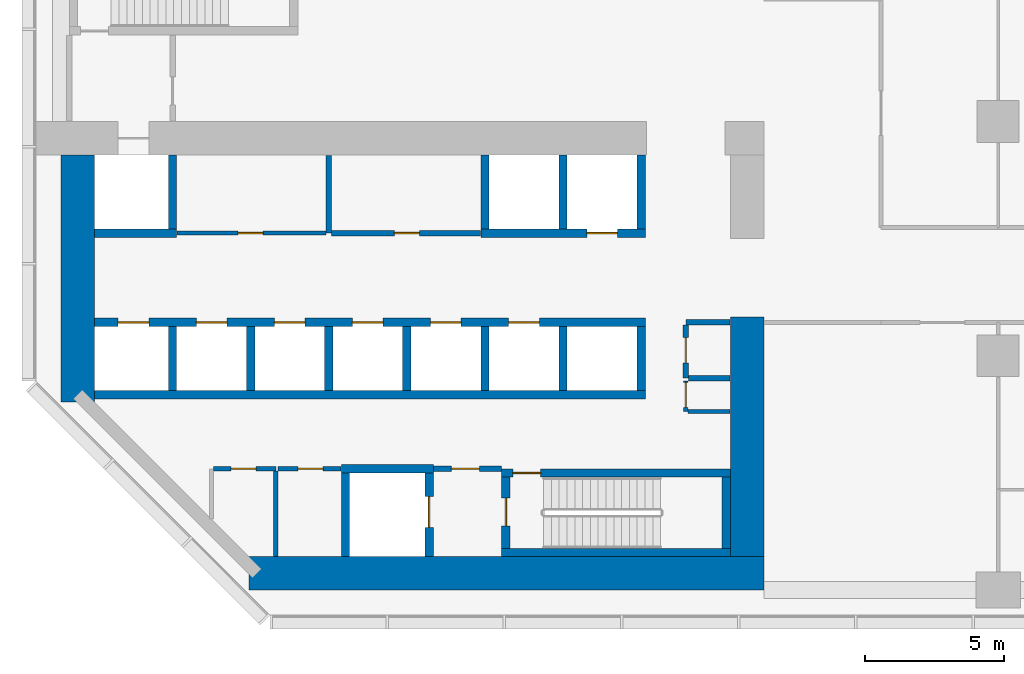
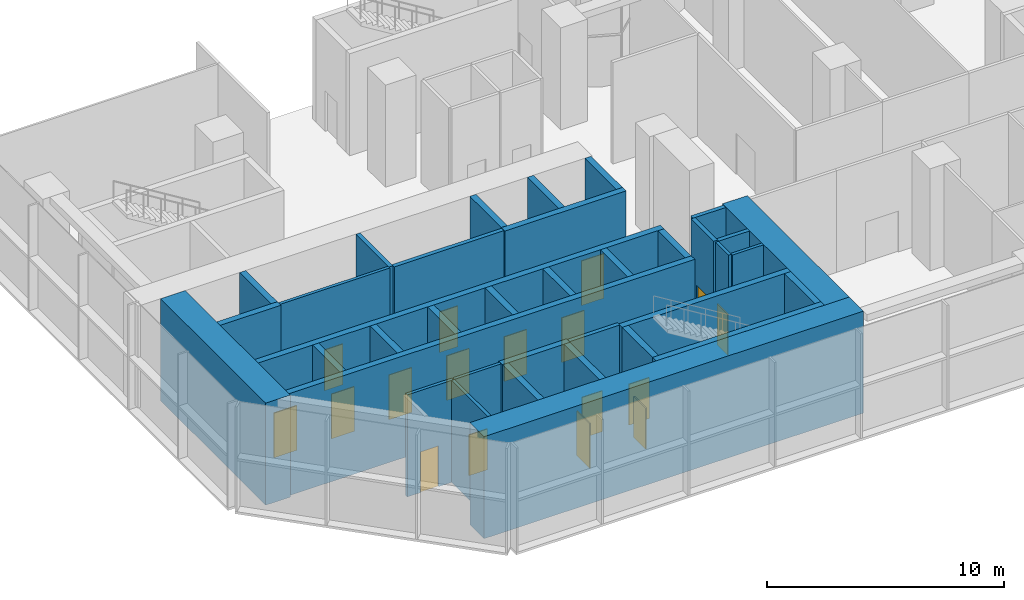
# One storey, part 8 of 16: 37 walls, 17 doors, 17 openings.
"""IFC4 building model written with IfcOpenShell, lengths in metres."""

from ifc_helpers import new_model, si_unit, direction, frame, frame_2d, origin, place, context, subcontext, project, spatial, rectangle, extrude, material, layer, layer_set, type_object, element, fill, save


model = new_model("IFC4")

# Units and contexts
model_context = context("Model", 3, precision=1e-05, world=origin(), true_north=direction((0.0, 1.0)))
body_context = subcontext(model_context, "Body", "Model", "MODEL_VIEW")
ifc_project = project(units=[si_unit("LENGTHUNIT", "METRE"), si_unit("AREAUNIT", "SQUARE_METRE"), si_unit("VOLUMEUNIT", "CUBIC_METRE"), si_unit("PLANEANGLEUNIT", "RADIAN"), si_unit("MASSUNIT", "GRAM", prefix="KILO")], contexts=[model_context])

# Site, building, storey
site_placement = place(None, origin())
site = spatial("IfcSite", under=ifc_project, at=site_placement, CompositionType="ELEMENT")
building_placement = place(site_placement, origin())
building = spatial("IfcBuilding", under=site, at=building_placement, Name="Brevane Broadcast Tower", CompositionType="ELEMENT")
storey_placement = place(building_placement, frame((0.0, 0.0, 7.0)))
storey = spatial("IfcBuildingStorey", under=building, at=storey_placement, Name="L01", CompositionType="ELEMENT", Elevation=7.0)

# Wall, opening, door
ifc_material_1 = material(Name="Gypsum board on steel studs", Category="steel")
ifc_layer_1 = layer(ifc_material_1, 0.14990234375)
ifc_layer_set_1 = layer_set([ifc_layer_1], Name="Core fire partition 150 mm")
wall_type_1 = type_object("IfcWallType", Name="Core fire partition 150 mm", PredefinedType="PARTITIONING", material=ifc_layer_set_1)
wall_1_placement = place(storey_placement, frame((4.162109375, 12.800048828125, 0.0), z_axis=(0.0, 0.0, 1.0), x_axis=(1.0, 0.0, 0.0)))
wall_1 = element("IfcWall", 1, at=wall_1_placement, inside=storey, type_object=wall_type_1, Name="L01 partition wall P09", PredefinedType="PARTITIONING", context=body_context, shape_type="SweptSolid", body=[
    extrude(rectangle(XDim=5.337890625, YDim=0.14990234375, at=frame_2d((2.6689453125, 0.0))), origin(), (0.0, 0.0, 1.0), 5.25),
])
opening_1_placement = place(wall_1_placement, frame((2.18798828125, 0.0, 0.0)))
opening_1 = element("IfcOpeningElement", 2, at=opening_1_placement, cuts=wall_1, Name="Opening L01-K24", PredefinedType="OPENING", context=body_context, shape_type="SweptSolid", body=[
    extrude(rectangle(XDim=0.89990234375, YDim=2.10009765625, at=frame_2d((0.449951171875, 1.050048828125))), frame((0.0, 0.0849609375, 0.0), z_axis=(0.0, -1.0, 0.0), x_axis=(1.0, 0.0, 0.0)), (0.0, 0.0, 1.0), 0.169921875),
])
ifc_material_2 = material(Name="Steel", Category="steel")
door_type_1 = type_object("IfcDoorType", Name="Service room door 900 x 2100", OperationType="SINGLE_SWING_LEFT", PredefinedType="DOOR", material=ifc_material_2)
door_1_placement = place(opening_1_placement, origin())
door_1 = element("IfcDoor", 3, at=door_1_placement, inside=storey, type_object=door_type_1, Name="Door L01-K24", OperationType="SINGLE_SWING_RIGHT", OverallHeight=2.10009765625, OverallWidth=0.89990234375, PredefinedType="DOOR", context=body_context, shape_type="SweptSolid", body=[
    extrude(rectangle(XDim=0.89990234375, YDim=2.10009765625, at=frame_2d((0.449951171875, 1.050048828125))), frame((0.0, 0.02490234375, 0.0), z_axis=(0.0, -1.0, 0.0), x_axis=(1.0, 0.0, 0.0)), (0.0, 0.0, 1.0), 0.050048828125),
])
fill(opening_1, door_1)

wall_2_placement = place(storey_placement, frame((5.47509765625, 4.35009765625, 0.0), z_axis=(0.0, 0.0, 1.0), x_axis=(1.0, 0.0, 0.0)))
wall_2 = element("IfcWall", 4, at=wall_2_placement, inside=storey, type_object=wall_type_1, Name="L01 partition wall P11", PredefinedType="PARTITIONING", context=body_context, shape_type="SweptSolid", body=[
    extrude(rectangle(XDim=2.224853515625, YDim=0.14990234375, at=frame_2d((1.1123046875, 0.0))), origin(), (0.0, 0.0, 1.0), 5.25),
])
opening_2_placement = place(wall_2_placement, frame((0.625, 0.0, 0.0)))
opening_2 = element("IfcOpeningElement", 5, at=opening_2_placement, cuts=wall_2, Name="Opening L01-K19", PredefinedType="OPENING", context=body_context, shape_type="SweptSolid", body=[
    extrude(rectangle(XDim=0.89990234375, YDim=2.10009765625, at=frame_2d((0.449951171875, 1.050048828125))), frame((0.0, 0.0849609375, 0.0), z_axis=(0.0, -1.0, 0.0), x_axis=(1.0, 0.0, 0.0)), (0.0, 0.0, 1.0), 0.169921875),
])
ifc_material_3 = material(Name="Timber", Category="wood")
door_type_2 = type_object("IfcDoorType", Name="Toilet door 900 x 2100", OperationType="SINGLE_SWING_LEFT", PredefinedType="DOOR", material=ifc_material_3)
door_2_placement = place(opening_2_placement, origin())
door_2 = element("IfcDoor", 6, at=door_2_placement, inside=storey, type_object=door_type_2, Name="Door L01-K19", OperationType="SINGLE_SWING_LEFT", OverallHeight=2.10009765625, OverallWidth=0.89990234375, PredefinedType="DOOR", context=body_context, shape_type="SweptSolid", body=[
    extrude(rectangle(XDim=0.89990234375, YDim=2.10009765625, at=frame_2d((0.449951171875, 1.050048828125))), frame((0.0, 0.02490234375, 0.0), z_axis=(0.0, -1.0, 0.0), x_axis=(1.0, 0.0, 0.0)), (0.0, 0.0, 1.0), 0.050048828125),
])
fill(opening_2, door_2)

# Wall
wall_3_placement = place(storey_placement, frame((7.699951171875, 4.27490234375, 0.0), z_axis=(0.0, 0.0, 1.0), x_axis=(0.0, -1.0, 0.0)))
element("IfcWall", 7, at=wall_3_placement, inside=storey, type_object=wall_type_1, Name="L01 partition wall P12", PredefinedType="PARTITIONING", context=body_context, shape_type="SweptSolid", body=[
    extrude(rectangle(XDim=3.06298828125, YDim=0.14990234375, at=frame_2d((1.531494140625, 0.0))), origin(), (0.0, 0.0, 1.0), 5.25),
])

# Wall, opening, door
wall_4_placement = place(storey_placement, frame((10.0380859375, 4.35009765625, 0.0), z_axis=(0.0, 0.0, 1.0), x_axis=(-1.0, 0.0, 0.0)))
wall_4 = element("IfcWall", 8, at=wall_4_placement, inside=storey, type_object=wall_type_1, Name="L01 partition wall P13", PredefinedType="PARTITIONING", context=body_context, shape_type="SweptSolid", body=[
    extrude(rectangle(XDim=2.26318359375, YDim=0.14990234375, at=frame_2d((1.131591796875, 0.0))), origin(), (0.0, 0.0, 1.0), 5.25),
])
opening_3_placement = place(wall_4_placement, frame((0.637939453125, 0.0, 0.0)))
opening_3 = element("IfcOpeningElement", 9, at=opening_3_placement, cuts=wall_4, Name="Opening L01-K20", PredefinedType="OPENING", context=body_context, shape_type="SweptSolid", body=[
    extrude(rectangle(XDim=0.89990234375, YDim=2.10009765625, at=frame_2d((0.449951171875, 1.050048828125))), frame((0.0, 0.0849609375, 0.0), z_axis=(0.0, -1.0, 0.0), x_axis=(1.0, 0.0, 0.0)), (0.0, 0.0, 1.0), 0.169921875),
])
door_3_placement = place(opening_3_placement, origin())
door_3 = element("IfcDoor", 10, at=door_3_placement, inside=storey, type_object=door_type_2, Name="Door L01-K20", OperationType="SINGLE_SWING_RIGHT", OverallHeight=2.10009765625, OverallWidth=0.89990234375, PredefinedType="DOOR", context=body_context, shape_type="SweptSolid", body=[
    extrude(rectangle(XDim=0.89990234375, YDim=2.10009765625, at=frame_2d((0.449951171875, 1.050048828125))), frame((0.0, 0.02490234375, 0.0), z_axis=(0.0, -1.0, 0.0), x_axis=(1.0, 0.0, 0.0)), (0.0, 0.0, 1.0), 0.050048828125),
])
fill(opening_3, door_3)

wall_5_placement = place(storey_placement, frame((22.39990234375, 7.5, 0.0), z_axis=(0.0, 0.0, 1.0), x_axis=(0.0, -1.0, 0.0)))
wall_5 = element("IfcWall", 11, at=wall_5_placement, inside=storey, type_object=wall_type_1, Name="L01 partition wall P21", PredefinedType="PARTITIONING", context=body_context, shape_type="SweptSolid", body=[
    extrude(rectangle(XDim=1.10009765625, YDim=0.14990234375, at=frame_2d((0.550048828125, 0.0))), origin(), (0.0, 0.0, 1.0), 5.25),
])
opening_4_placement = place(wall_5_placement, frame((0.050048828125, 0.0, 0.0)))
opening_4 = element("IfcOpeningElement", 12, at=opening_4_placement, cuts=wall_5, Name="Opening L01-K22", PredefinedType="OPENING", context=body_context, shape_type="SweptSolid", body=[
    extrude(rectangle(XDim=0.89990234375, YDim=2.10009765625, at=frame_2d((0.449951171875, 1.050048828125))), frame((0.0, 0.0849609375, 0.0), z_axis=(0.0, -1.0, 0.0), x_axis=(1.0, 0.0, 0.0)), (0.0, 0.0, 1.0), 0.169921875),
])
door_4_placement = place(opening_4_placement, origin())
door_4 = element("IfcDoor", 13, at=door_4_placement, inside=storey, type_object=door_type_1, Name="Door L01-K22", OperationType="SINGLE_SWING_RIGHT", OverallHeight=2.10009765625, OverallWidth=0.89990234375, PredefinedType="DOOR", context=body_context, shape_type="SweptSolid", body=[
    extrude(rectangle(XDim=0.89990234375, YDim=2.10009765625, at=frame_2d((0.449951171875, 1.050048828125))), frame((0.0, 0.02490234375, 0.0), z_axis=(0.0, -1.0, 0.0), x_axis=(1.0, 0.0, 0.0)), (0.0, 0.0, 1.0), 0.050048828125),
])
fill(opening_4, door_4)

# Wall
wall_6_placement = place(storey_placement, frame((22.47509765625, 6.39990234375, 0.0), z_axis=(0.0, 0.0, 1.0), x_axis=(1.0, 0.0, 0.0)))
element("IfcWall", 14, at=wall_6_placement, inside=storey, type_object=wall_type_1, Name="L01 partition wall P22", PredefinedType="PARTITIONING", context=body_context, shape_type="SweptSolid", body=[
    extrude(rectangle(XDim=1.512939453125, YDim=0.14990234375, at=frame_2d((0.75634765625, 0.0))), origin(), (0.0, 0.0, 1.0), 5.25),
])

# Wall, opening, door
ifc_layer_2 = layer(ifc_material_1, 0.199951171875)
ifc_layer_set_2 = layer_set([ifc_layer_2], Name="Core fire partition 200 mm")
wall_type_2 = type_object("IfcWallType", Name="Core fire partition 200 mm", PredefinedType="PARTITIONING", material=ifc_layer_set_2)
wall_7_placement = place(storey_placement, frame((13.362060546875, 4.35009765625, 0.0), z_axis=(0.0, 0.0, 1.0), x_axis=(1.0, 0.0, 0.0)))
wall_7 = element("IfcWall", 15, at=wall_7_placement, inside=storey, type_object=wall_type_2, Name="L01 partition wall P03", PredefinedType="PARTITIONING", context=body_context, shape_type="SweptSolid", body=[
    extrude(rectangle(XDim=2.426025390625, YDim=0.199951171875, at=frame_2d((1.212890625, 0.0))), origin(), (0.0, 0.0, 1.0), 5.25),
])
opening_5_placement = place(wall_7_placement, frame((0.637939453125, 0.0, 0.0)))
opening_5 = element("IfcOpeningElement", 16, at=opening_5_placement, cuts=wall_7, Name="Opening L01-K21", PredefinedType="OPENING", context=body_context, shape_type="SweptSolid", body=[
    extrude(rectangle(XDim=1.0, YDim=2.10009765625, at=frame_2d((0.5, 1.050048828125))), frame((0.0, 0.10986328125, 0.0), z_axis=(0.0, -1.0, 0.0), x_axis=(1.0, 0.0, 0.0)), (0.0, 0.0, 1.0), 0.219970703125),
])
door_type_3 = type_object("IfcDoorType", Name="Stair door 1000 x 2100", OperationType="SINGLE_SWING_LEFT", PredefinedType="DOOR", material=ifc_material_2)
door_5_placement = place(opening_5_placement, origin())
door_5 = element("IfcDoor", 17, at=door_5_placement, inside=storey, type_object=door_type_3, Name="Door L01-K21", OperationType="SINGLE_SWING_LEFT", OverallHeight=2.10009765625, OverallWidth=1.0, PredefinedType="DOOR", context=body_context, shape_type="SweptSolid", body=[
    extrude(rectangle(XDim=1.0, YDim=2.10009765625, at=frame_2d((0.5, 1.050048828125))), frame((0.0, 0.02490234375, 0.0), z_axis=(0.0, -1.0, 0.0), x_axis=(1.0, 0.0, 0.0)), (0.0, 0.0, 1.0), 0.050048828125),
])
fill(opening_5, door_5)

# Wall
wall_8_placement = place(storey_placement, frame((9.60009765625, 15.587890625, 0.0), z_axis=(0.0, 0.0, 1.0), x_axis=(0.0, -1.0, 0.0)))
element("IfcWall", 18, at=wall_8_placement, inside=storey, type_object=wall_type_2, Name="L01 partition wall P04", PredefinedType="PARTITIONING", context=body_context, shape_type="SweptSolid", body=[
    extrude(rectangle(XDim=2.787841796875, YDim=0.199951171875, at=frame_2d((1.39404296875, 0.0))), origin(), (0.0, 0.0, 1.0), 5.25),
])

# Wall, opening, door
wall_9_placement = place(storey_placement, frame((9.699951171875, 12.800048828125, 0.0), z_axis=(0.0, 0.0, 1.0), x_axis=(1.0, 0.0, 0.0)))
wall_9 = element("IfcWall", 19, at=wall_9_placement, inside=storey, type_object=wall_type_2, Name="L01 partition wall P05", PredefinedType="PARTITIONING", context=body_context, shape_type="SweptSolid", body=[
    extrude(rectangle(XDim=5.338134765625, YDim=0.199951171875, at=frame_2d((2.6689453125, 0.0))), origin(), (0.0, 0.0, 1.0), 5.25),
])
opening_6_placement = place(wall_9_placement, frame((2.25, 0.0, 0.0)))
opening_6 = element("IfcOpeningElement", 20, at=opening_6_placement, cuts=wall_9, Name="Opening L01-K25", PredefinedType="OPENING", context=body_context, shape_type="SweptSolid", body=[
    extrude(rectangle(XDim=0.89990234375, YDim=2.10009765625, at=frame_2d((0.449951171875, 1.050048828125))), frame((0.0, 0.10986328125, 0.0), z_axis=(0.0, -1.0, 0.0), x_axis=(1.0, 0.0, 0.0)), (0.0, 0.0, 1.0), 0.219970703125),
])
door_6_placement = place(opening_6_placement, origin())
door_6 = element("IfcDoor", 21, at=door_6_placement, inside=storey, type_object=door_type_1, Name="Door L01-K25", OperationType="SINGLE_SWING_LEFT", OverallHeight=2.10009765625, OverallWidth=0.89990234375, PredefinedType="DOOR", context=body_context, shape_type="SweptSolid", body=[
    extrude(rectangle(XDim=0.89990234375, YDim=2.10009765625, at=frame_2d((0.449951171875, 1.050048828125))), frame((0.0, 0.02490234375, 0.0), z_axis=(0.0, -1.0, 0.0), x_axis=(1.0, 0.0, 0.0)), (0.0, 0.0, 1.0), 0.050048828125),
])
fill(opening_6, door_6)

# Wall
wall_10_placement = place(storey_placement, frame((23.988037109375, 9.60009765625, 0.0), z_axis=(0.0, 0.0, 1.0), x_axis=(-1.0, 0.0, 0.0)))
element("IfcWall", 22, at=wall_10_placement, inside=storey, type_object=wall_type_2, Name="L01 partition wall P06", PredefinedType="PARTITIONING", context=body_context, shape_type="SweptSolid", body=[
    extrude(rectangle(XDim=1.588134765625, YDim=0.199951171875, at=frame_2d((0.7939453125, 0.0))), origin(), (0.0, 0.0, 1.0), 5.25),
])

# Wall, opening, door
wall_11_placement = place(storey_placement, frame((22.39990234375, 9.5, 0.0), z_axis=(0.0, 0.0, 1.0), x_axis=(0.0, -1.0, 0.0)))
wall_11 = element("IfcWall", 23, at=wall_11_placement, inside=storey, type_object=wall_type_2, Name="L01 partition wall P07", PredefinedType="PARTITIONING", context=body_context, shape_type="SweptSolid", body=[
    extrude(rectangle(XDim=1.89990234375, YDim=0.199951171875, at=frame_2d((0.949951171875, 0.0))), origin(), (0.0, 0.0, 1.0), 5.25),
])
opening_7_placement = place(wall_11_placement, frame((0.449951171875, 0.0, 0.0)))
opening_7 = element("IfcOpeningElement", 24, at=opening_7_placement, cuts=wall_11, Name="Opening L01-K23", PredefinedType="OPENING", context=body_context, shape_type="SweptSolid", body=[
    extrude(rectangle(XDim=0.89990234375, YDim=2.10009765625, at=frame_2d((0.449951171875, 1.050048828125))), frame((0.0, 0.10986328125, 0.0), z_axis=(0.0, -1.0, 0.0), x_axis=(1.0, 0.0, 0.0)), (0.0, 0.0, 1.0), 0.219970703125),
])
door_7_placement = place(opening_7_placement, origin())
door_7 = element("IfcDoor", 25, at=door_7_placement, inside=storey, type_object=door_type_1, Name="Door L01-K23", OperationType="SINGLE_SWING_LEFT", OverallHeight=2.10009765625, OverallWidth=0.89990234375, PredefinedType="DOOR", context=body_context, shape_type="SweptSolid", body=[
    extrude(rectangle(XDim=0.89990234375, YDim=2.10009765625, at=frame_2d((0.449951171875, 1.050048828125))), frame((0.0, 0.02490234375, 0.0), z_axis=(0.0, -1.0, 0.0), x_axis=(1.0, 0.0, 0.0)), (0.0, 0.0, 1.0), 0.050048828125),
])
fill(opening_7, door_7)

# Walls
wall_12_placement = place(storey_placement, frame((22.5, 7.60009765625, 0.0), z_axis=(0.0, 0.0, 1.0), x_axis=(1.0, 0.0, 0.0)))
element("IfcWall", 26, at=wall_12_placement, inside=storey, type_object=wall_type_2, Name="L01 partition wall P08", PredefinedType="PARTITIONING", context=body_context, shape_type="SweptSolid", body=[
    extrude(rectangle(XDim=1.488037109375, YDim=0.199951171875, at=frame_2d((0.744140625, 0.0))), origin(), (0.0, 0.0, 1.0), 5.25),
])
ifc_material_4 = material(Name="Concrete C80/95", Category="concrete")
ifc_layer_3 = layer(ifc_material_4, 1.199951171875)
ifc_layer_set_3 = layer_set([ifc_layer_3], Name="Core wall 1200 mm C80/95")
wall_type_3 = type_object("IfcWallType", Name="Core wall 1200 mm C80/95", PredefinedType="SHEAR", material=ifc_layer_set_3)
wall_13_placement = place(storey_placement, frame((6.736328125, 0.60009765625, 0.0), z_axis=(0.0, 0.0, 1.0), x_axis=(1.0, 0.0, 0.0)))
element("IfcWall", 27, at=wall_13_placement, inside=storey, type_object=wall_type_3, Name="L01 outer wall WS", PredefinedType="SHEAR", context=body_context, shape_type="SweptSolid", body=[
    extrude(rectangle(XDim=18.463623046875, YDim=1.199951171875, at=frame_2d((9.23193359375, 0.0))), origin(), (0.0, 0.0, 1.0), 5.25),
])
wall_14_placement = place(storey_placement, frame((0.60009765625, 6.736328125, 0.0), z_axis=(0.0, 0.0, 1.0), x_axis=(0.0, 1.0, 0.0)))
element("IfcWall", 28, at=wall_14_placement, inside=storey, type_object=wall_type_3, Name="L01 outer wall WW", PredefinedType="SHEAR", context=body_context, shape_type="SweptSolid", body=[
    extrude(rectangle(XDim=8.86376953125, YDim=1.199951171875, at=frame_2d((4.431884765625, 0.0))), origin(), (0.0, 0.0, 1.0), 5.25),
])
wall_15_placement = place(storey_placement, frame((24.60009765625, 1.199951171875, 0.0), z_axis=(0.0, 0.0, 1.0), x_axis=(0.0, 1.0, 0.0)))
element("IfcWall", 29, at=wall_15_placement, inside=storey, type_object=wall_type_3, Name="L01 outer wall WE1", PredefinedType="SHEAR", context=body_context, shape_type="SweptSolid", body=[
    extrude(rectangle(XDim=8.60009765625, YDim=1.199951171875, at=frame_2d((4.300048828125, 0.0))), origin(), (0.0, 0.0, 1.0), 5.25),
])
ifc_layer_4 = layer(ifc_material_4, 0.300048828125)
ifc_layer_set_4 = layer_set([ifc_layer_4], Name="Core wall 300 mm C80/95")
wall_type_4 = type_object("IfcWallType", Name="Core wall 300 mm C80/95", PredefinedType="SHEAR", material=ifc_layer_set_4)
wall_16_placement = place(storey_placement, frame((1.199951171875, 7.0, 0.0), z_axis=(0.0, 0.0, 1.0), x_axis=(1.0, 0.0, 0.0)))
element("IfcWall", 30, at=wall_16_placement, inside=storey, type_object=wall_type_4, Name="L01 shaft wall SH-S012-back", PredefinedType="SHEAR", context=body_context, shape_type="SweptSolid", body=[
    extrude(rectangle(XDim=19.75, YDim=0.300048828125, at=frame_2d((9.875, 0.0))), origin(), (0.0, 0.0, 1.0), 5.25),
])

# Wall, openings, doors
wall_17_placement = place(storey_placement, frame((1.199951171875, 9.60009765625, 0.0), z_axis=(0.0, 0.0, 1.0), x_axis=(1.0, 0.0, 0.0)))
wall_17 = element("IfcWall", 31, at=wall_17_placement, inside=storey, type_object=wall_type_4, Name="L01 shaft wall SH-S012-front", PredefinedType="SHEAR", context=body_context, shape_type="SweptSolid", body=[
    extrude(rectangle(XDim=19.75, YDim=0.300048828125, at=frame_2d((9.875, 0.0))), origin(), (0.0, 0.0, 1.0), 5.25),
])
opening_8_placement = place(wall_17_placement, frame((0.85009765625, 0.0, 0.0)))
opening_8 = element("IfcOpeningElement", 32, at=opening_8_placement, cuts=wall_17, Name="Opening LD", PredefinedType="OPENING", context=body_context, shape_type="SweptSolid", body=[
    extrude(rectangle(XDim=1.10009765625, YDim=2.300048828125, at=frame_2d((0.550048828125, 1.14990234375))), frame((0.0, 0.159912109375, 0.0), z_axis=(0.0, -1.0, 0.0), x_axis=(1.0, 0.0, 0.0)), (0.0, 0.0, 1.0), 0.320068359375),
])
opening_9_placement = place(wall_17_placement, frame((3.64990234375, 0.0, 0.0)))
opening_9 = element("IfcOpeningElement", 33, at=opening_9_placement, cuts=wall_17, Name="Opening LD", PredefinedType="OPENING", context=body_context, shape_type="SweptSolid", body=[
    extrude(rectangle(XDim=1.10009765625, YDim=2.300048828125, at=frame_2d((0.550048828125, 1.14990234375))), frame((0.0, 0.159912109375, 0.0), z_axis=(0.0, -1.0, 0.0), x_axis=(1.0, 0.0, 0.0)), (0.0, 0.0, 1.0), 0.320068359375),
])
opening_10_placement = place(wall_17_placement, frame((6.449951171875, 0.0, 0.0)))
opening_10 = element("IfcOpeningElement", 34, at=opening_10_placement, cuts=wall_17, Name="Opening LD", PredefinedType="OPENING", context=body_context, shape_type="SweptSolid", body=[
    extrude(rectangle(XDim=1.10009765625, YDim=2.300048828125, at=frame_2d((0.550048828125, 1.14990234375))), frame((0.0, 0.159912109375, 0.0), z_axis=(0.0, -1.0, 0.0), x_axis=(1.0, 0.0, 0.0)), (0.0, 0.0, 1.0), 0.320068359375),
])
opening_11_placement = place(wall_17_placement, frame((9.25, 0.0, 0.0)))
opening_11 = element("IfcOpeningElement", 35, at=opening_11_placement, cuts=wall_17, Name="Opening LD", PredefinedType="OPENING", context=body_context, shape_type="SweptSolid", body=[
    extrude(rectangle(XDim=1.10009765625, YDim=2.300048828125, at=frame_2d((0.550048828125, 1.14990234375))), frame((0.0, 0.159912109375, 0.0), z_axis=(0.0, -1.0, 0.0), x_axis=(1.0, 0.0, 0.0)), (0.0, 0.0, 1.0), 0.320068359375),
])
opening_12_placement = place(wall_17_placement, frame((12.050048828125, 0.0, 0.0)))
opening_12 = element("IfcOpeningElement", 36, at=opening_12_placement, cuts=wall_17, Name="Opening LD", PredefinedType="OPENING", context=body_context, shape_type="SweptSolid", body=[
    extrude(rectangle(XDim=1.10009765625, YDim=2.300048828125, at=frame_2d((0.550048828125, 1.14990234375))), frame((0.0, 0.159912109375, 0.0), z_axis=(0.0, -1.0, 0.0), x_axis=(1.0, 0.0, 0.0)), (0.0, 0.0, 1.0), 0.320068359375),
])
opening_13_placement = place(wall_17_placement, frame((14.85009765625, 0.0, 0.0)))
opening_13 = element("IfcOpeningElement", 37, at=opening_13_placement, cuts=wall_17, Name="Opening LD", PredefinedType="OPENING", context=body_context, shape_type="SweptSolid", body=[
    extrude(rectangle(XDim=1.10009765625, YDim=2.300048828125, at=frame_2d((0.550048828125, 1.14990234375))), frame((0.0, 0.159912109375, 0.0), z_axis=(0.0, -1.0, 0.0), x_axis=(1.0, 0.0, 0.0)), (0.0, 0.0, 1.0), 0.320068359375),
])
ifc_material_5 = material(Name="Stainless steel", Category="steel")
door_type_4 = type_object("IfcDoorType", Name="Lift landing door", OperationType="SLIDING_TO_LEFT", PredefinedType="DOOR", material=ifc_material_5)
door_8_placement = place(opening_8_placement, origin())
door_8 = element("IfcDoor", 38, at=door_8_placement, inside=storey, type_object=door_type_4, Name="Landing door LR1 L01", OperationType="SLIDING_TO_LEFT", OverallHeight=2.300048828125, OverallWidth=1.10009765625, PredefinedType="DOOR", context=body_context, shape_type="SweptSolid", body=[
    extrude(rectangle(XDim=1.10009765625, YDim=2.300048828125, at=frame_2d((0.550048828125, 1.14990234375))), frame((0.0, 0.02490234375, 0.0), z_axis=(0.0, -1.0, 0.0), x_axis=(1.0, 0.0, 0.0)), (0.0, 0.0, 1.0), 0.050048828125),
])
fill(opening_8, door_8)
door_9_placement = place(opening_9_placement, origin())
door_9 = element("IfcDoor", 39, at=door_9_placement, inside=storey, type_object=door_type_4, Name="Landing door LR2 L01", OperationType="SLIDING_TO_LEFT", OverallHeight=2.300048828125, OverallWidth=1.10009765625, PredefinedType="DOOR", context=body_context, shape_type="SweptSolid", body=[
    extrude(rectangle(XDim=1.10009765625, YDim=2.300048828125, at=frame_2d((0.550048828125, 1.14990234375))), frame((0.0, 0.02490234375, 0.0), z_axis=(0.0, -1.0, 0.0), x_axis=(1.0, 0.0, 0.0)), (0.0, 0.0, 1.0), 0.050048828125),
])
fill(opening_9, door_9)
door_10_placement = place(opening_10_placement, origin())
door_10 = element("IfcDoor", 40, at=door_10_placement, inside=storey, type_object=door_type_4, Name="Landing door LR3 L01", OperationType="SLIDING_TO_LEFT", OverallHeight=2.300048828125, OverallWidth=1.10009765625, PredefinedType="DOOR", context=body_context, shape_type="SweptSolid", body=[
    extrude(rectangle(XDim=1.10009765625, YDim=2.300048828125, at=frame_2d((0.550048828125, 1.14990234375))), frame((0.0, 0.02490234375, 0.0), z_axis=(0.0, -1.0, 0.0), x_axis=(1.0, 0.0, 0.0)), (0.0, 0.0, 1.0), 0.050048828125),
])
fill(opening_10, door_10)
door_11_placement = place(opening_11_placement, origin())
door_11 = element("IfcDoor", 41, at=door_11_placement, inside=storey, type_object=door_type_4, Name="Landing door LR4 L01", OperationType="SLIDING_TO_LEFT", OverallHeight=2.300048828125, OverallWidth=1.10009765625, PredefinedType="DOOR", context=body_context, shape_type="SweptSolid", body=[
    extrude(rectangle(XDim=1.10009765625, YDim=2.300048828125, at=frame_2d((0.550048828125, 1.14990234375))), frame((0.0, 0.02490234375, 0.0), z_axis=(0.0, -1.0, 0.0), x_axis=(1.0, 0.0, 0.0)), (0.0, 0.0, 1.0), 0.050048828125),
])
fill(opening_11, door_11)
door_12_placement = place(opening_12_placement, origin())
door_12 = element("IfcDoor", 42, at=door_12_placement, inside=storey, type_object=door_type_4, Name="Landing door LR5 L01", OperationType="SLIDING_TO_LEFT", OverallHeight=2.300048828125, OverallWidth=1.10009765625, PredefinedType="DOOR", context=body_context, shape_type="SweptSolid", body=[
    extrude(rectangle(XDim=1.10009765625, YDim=2.300048828125, at=frame_2d((0.550048828125, 1.14990234375))), frame((0.0, 0.02490234375, 0.0), z_axis=(0.0, -1.0, 0.0), x_axis=(1.0, 0.0, 0.0)), (0.0, 0.0, 1.0), 0.050048828125),
])
fill(opening_12, door_12)
door_13_placement = place(opening_13_placement, origin())
door_13 = element("IfcDoor", 43, at=door_13_placement, inside=storey, type_object=door_type_4, Name="Landing door LR6 L01", OperationType="SLIDING_TO_LEFT", OverallHeight=2.300048828125, OverallWidth=1.10009765625, PredefinedType="DOOR", context=body_context, shape_type="SweptSolid", body=[
    extrude(rectangle(XDim=1.10009765625, YDim=2.300048828125, at=frame_2d((0.550048828125, 1.14990234375))), frame((0.0, 0.02490234375, 0.0), z_axis=(0.0, -1.0, 0.0), x_axis=(1.0, 0.0, 0.0)), (0.0, 0.0, 1.0), 0.050048828125),
])
fill(opening_13, door_13)

# Walls
for number, where, z_axis, x_axis, name in (
    (44, (4.0, 7.14990234375, 0.0), (0.0, 0.0, 1.0), (0.0, 1.0, 0.0), "L01 shaft wall SH-S-P040"),
    (45, (6.800048828125, 7.14990234375, 0.0), (0.0, 0.0, 1.0), (0.0, 1.0, 0.0), "L01 shaft wall SH-S-P068"),
    (46, (9.60009765625, 7.14990234375, 0.0), (0.0, 0.0, 1.0), (0.0, 1.0, 0.0), "L01 shaft wall SH-S-P096"),
    (47, (12.39990234375, 7.14990234375, 0.0), (0.0, 0.0, 1.0), (0.0, 1.0, 0.0), "L01 shaft wall SH-S-P124"),
    (48, (15.199951171875, 7.14990234375, 0.0), (0.0, 0.0, 1.0), (0.0, 1.0, 0.0), "L01 shaft wall SH-S-P152"),
    (49, (18.0, 7.14990234375, 0.0), (0.0, 0.0, 1.0), (0.0, 1.0, 0.0), "L01 shaft wall SH-S-P180"),
    (50, (20.800048828125, 7.14990234375, 0.0), (0.0, 0.0, 1.0), (0.0, 1.0, 0.0), "L01 shaft wall SH-S-P208"),
):
    element("IfcWall", number, at=place(storey_placement, frame(where, z_axis=z_axis, x_axis=x_axis)), inside=storey, type_object=wall_type_4, Name=name, PredefinedType="SHEAR", context=body_context, shape_type="SweptSolid", body=[
        extrude(rectangle(XDim=2.300048828125, YDim=0.300048828125, at=frame_2d((1.14990234375, 0.0))), origin(), (0.0, 0.0, 1.0), 5.25),
    ])
wall_18_placement = place(storey_placement, frame((1.199951171875, 12.800048828125, 0.0), z_axis=(0.0, 0.0, 1.0), x_axis=(1.0, 0.0, 0.0)))
element("IfcWall", 51, at=wall_18_placement, inside=storey, type_object=wall_type_4, Name="L01 shaft wall SH-N012-front", PredefinedType="SHEAR", context=body_context, shape_type="SweptSolid", body=[
    extrude(rectangle(XDim=2.949951171875, YDim=0.300048828125, at=frame_2d((1.47509765625, 0.0))), origin(), (0.0, 0.0, 1.0), 5.25),
])
wall_19_placement = place(storey_placement, frame((4.0, 12.949951171875, 0.0), z_axis=(0.0, 0.0, 1.0), x_axis=(0.0, 1.0, 0.0)))
element("IfcWall", 52, at=wall_19_placement, inside=storey, type_object=wall_type_4, Name="L01 shaft wall SH-N-P040", PredefinedType="SHEAR", context=body_context, shape_type="SweptSolid", body=[
    extrude(rectangle(XDim=2.650146484375, YDim=0.300048828125, at=frame_2d((1.3251953125, 0.0))), origin(), (0.0, 0.0, 1.0), 5.25),
])

# Wall, opening, door
wall_20_placement = place(storey_placement, frame((15.050048828125, 12.800048828125, 0.0), z_axis=(0.0, 0.0, 1.0), x_axis=(1.0, 0.0, 0.0)))
wall_20 = element("IfcWall", 53, at=wall_20_placement, inside=storey, type_object=wall_type_4, Name="L01 shaft wall SH-N152-front", PredefinedType="SHEAR", context=body_context, shape_type="SweptSolid", body=[
    extrude(rectangle(XDim=5.89990234375, YDim=0.300048828125, at=frame_2d((2.949951171875, 0.0))), origin(), (0.0, 0.0, 1.0), 5.25),
])
opening_14_placement = place(wall_20_placement, frame((3.800048828125, 0.0, 0.0)))
opening_14 = element("IfcOpeningElement", 54, at=opening_14_placement, cuts=wall_20, Name="Opening LD", PredefinedType="OPENING", context=body_context, shape_type="SweptSolid", body=[
    extrude(rectangle(XDim=1.10009765625, YDim=2.300048828125, at=frame_2d((0.550048828125, 1.14990234375))), frame((0.0, 0.159912109375, 0.0), z_axis=(0.0, -1.0, 0.0), x_axis=(1.0, 0.0, 0.0)), (0.0, 0.0, 1.0), 0.320068359375),
])
door_14_placement = place(opening_14_placement, origin())
door_14 = element("IfcDoor", 55, at=door_14_placement, inside=storey, type_object=door_type_4, Name="Landing door SL1 L01", OperationType="SLIDING_TO_LEFT", OverallHeight=2.300048828125, OverallWidth=1.10009765625, PredefinedType="DOOR", context=body_context, shape_type="SweptSolid", body=[
    extrude(rectangle(XDim=1.10009765625, YDim=2.300048828125, at=frame_2d((0.550048828125, 1.14990234375))), frame((0.0, 0.02490234375, 0.0), z_axis=(0.0, -1.0, 0.0), x_axis=(1.0, 0.0, 0.0)), (0.0, 0.0, 1.0), 0.050048828125),
])
fill(opening_14, door_14)

# Walls
for number, where, z_axis, x_axis, name in (
    (56, (15.199951171875, 12.949951171875, 0.0), (0.0, 0.0, 1.0), (0.0, 1.0, 0.0), "L01 shaft wall SH-N-P152"),
    (57, (18.0, 12.949951171875, 0.0), (0.0, 0.0, 1.0), (0.0, 1.0, 0.0), "L01 shaft wall SH-N-P180"),
    (58, (20.800048828125, 12.949951171875, 0.0), (0.0, 0.0, 1.0), (0.0, 1.0, 0.0), "L01 shaft wall SH-N-P208"),
):
    element("IfcWall", number, at=place(storey_placement, frame(where, z_axis=z_axis, x_axis=x_axis)), inside=storey, type_object=wall_type_4, Name=name, PredefinedType="SHEAR", context=body_context, shape_type="SweptSolid", body=[
        extrude(rectangle(XDim=2.650146484375, YDim=0.300048828125, at=frame_2d((1.3251953125, 0.0))), origin(), (0.0, 0.0, 1.0), 5.25),
    ])
wall_21_placement = place(storey_placement, frame((10.199951171875, 1.199951171875, 0.0), z_axis=(0.0, 0.0, 1.0), x_axis=(0.0, 1.0, 0.0)))
element("IfcWall", 59, at=wall_21_placement, inside=storey, type_object=wall_type_4, Name="L01 shaft wall FF2-W", PredefinedType="SHEAR", context=body_context, shape_type="SweptSolid", body=[
    extrude(rectangle(XDim=3.0, YDim=0.300048828125, at=frame_2d((1.5, 0.0))), origin(), (0.0, 0.0, 1.0), 5.25),
])

# Wall, opening, door
wall_22_placement = place(storey_placement, frame((13.199951171875, 1.199951171875, 0.0), z_axis=(0.0, 0.0, 1.0), x_axis=(0.0, 1.0, 0.0)))
wall_22 = element("IfcWall", 60, at=wall_22_placement, inside=storey, type_object=wall_type_4, Name="L01 shaft wall FF2-E", PredefinedType="SHEAR", context=body_context, shape_type="SweptSolid", body=[
    extrude(rectangle(XDim=3.0, YDim=0.300048828125, at=frame_2d((1.5, 0.0))), origin(), (0.0, 0.0, 1.0), 5.25),
])
opening_15_placement = place(wall_22_placement, frame((1.050048828125, 0.0, 0.0)))
opening_15 = element("IfcOpeningElement", 61, at=opening_15_placement, cuts=wall_22, Name="Opening LD", PredefinedType="OPENING", context=body_context, shape_type="SweptSolid", body=[
    extrude(rectangle(XDim=1.10009765625, YDim=2.300048828125, at=frame_2d((0.550048828125, 1.14990234375))), frame((0.0, 0.159912109375, 0.0), z_axis=(0.0, -1.0, 0.0), x_axis=(1.0, 0.0, 0.0)), (0.0, 0.0, 1.0), 0.320068359375),
])
door_15_placement = place(opening_15_placement, origin())
door_15 = element("IfcDoor", 62, at=door_15_placement, inside=storey, type_object=door_type_4, Name="Landing door FF2 L01", OperationType="SLIDING_TO_LEFT", OverallHeight=2.300048828125, OverallWidth=1.10009765625, PredefinedType="DOOR", context=body_context, shape_type="SweptSolid", body=[
    extrude(rectangle(XDim=1.10009765625, YDim=2.300048828125, at=frame_2d((0.550048828125, 1.14990234375))), frame((0.0, 0.02490234375, 0.0), z_axis=(0.0, -1.0, 0.0), x_axis=(1.0, 0.0, 0.0)), (0.0, 0.0, 1.0), 0.050048828125),
])
fill(opening_15, door_15)

# Walls
wall_23_placement = place(storey_placement, frame((10.050048828125, 4.35009765625, 0.0), z_axis=(0.0, 0.0, 1.0), x_axis=(1.0, 0.0, 0.0)))
element("IfcWall", 63, at=wall_23_placement, inside=storey, type_object=wall_type_4, Name="L01 shaft wall FF2-N", PredefinedType="SHEAR", context=body_context, shape_type="SweptSolid", body=[
    extrude(rectangle(XDim=3.300048828125, YDim=0.300048828125, at=frame_2d((1.64990234375, 0.0))), origin(), (0.0, 0.0, 1.0), 5.25),
])
wall_24_placement = place(storey_placement, frame((15.800048828125, 1.35009765625, 0.0), z_axis=(0.0, 0.0, 1.0), x_axis=(1.0, 0.0, 0.0)))
element("IfcWall", 64, at=wall_24_placement, inside=storey, type_object=wall_type_4, Name="L01 stair wall ST-2-S", PredefinedType="SHEAR", context=body_context, shape_type="SweptSolid", body=[
    extrude(rectangle(XDim=8.199951171875, YDim=0.300048828125, at=frame_2d((4.10009765625, 0.0))), origin(), (0.0, 0.0, 1.0), 5.25),
])

# Wall, opening, door
wall_25_placement = place(storey_placement, frame((15.800048828125, 4.199951171875, 0.0), z_axis=(0.0, 0.0, 1.0), x_axis=(1.0, 0.0, 0.0)))
wall_25 = element("IfcWall", 65, at=wall_25_placement, inside=storey, type_object=wall_type_4, Name="L01 stair wall ST-2-N", PredefinedType="SHEAR", context=body_context, shape_type="SweptSolid", body=[
    extrude(rectangle(XDim=8.199951171875, YDim=0.300048828125, at=frame_2d((4.10009765625, 0.0))), origin(), (0.0, 0.0, 1.0), 5.25),
])
opening_16_placement = place(wall_25_placement, frame((0.39990234375, 0.0, 0.0)))
opening_16 = element("IfcOpeningElement", 66, at=opening_16_placement, cuts=wall_25, Name="Opening L01-K14", PredefinedType="OPENING", context=body_context, shape_type="SweptSolid", body=[
    extrude(rectangle(XDim=1.0, YDim=2.10009765625, at=frame_2d((0.5, 1.050048828125))), frame((0.0, 0.159912109375, 0.0), z_axis=(0.0, -1.0, 0.0), x_axis=(1.0, 0.0, 0.0)), (0.0, 0.0, 1.0), 0.320068359375),
])
door_16_placement = place(opening_16_placement, origin())
door_16 = element("IfcDoor", 67, at=door_16_placement, inside=storey, type_object=door_type_3, Name="Door L01-K14", OperationType="SINGLE_SWING_RIGHT", OverallHeight=2.10009765625, OverallWidth=1.0, PredefinedType="DOOR", context=body_context, shape_type="SweptSolid", body=[
    extrude(rectangle(XDim=1.0, YDim=2.10009765625, at=frame_2d((0.5, 1.050048828125))), frame((0.0, 0.02490234375, 0.0), z_axis=(0.0, -1.0, 0.0), x_axis=(1.0, 0.0, 0.0)), (0.0, 0.0, 1.0), 0.050048828125),
])
fill(opening_16, door_16)

wall_26_placement = place(storey_placement, frame((15.949951171875, 1.5, 0.0), z_axis=(0.0, 0.0, 1.0), x_axis=(0.0, 1.0, 0.0)))
wall_26 = element("IfcWall", 68, at=wall_26_placement, inside=storey, type_object=wall_type_4, Name="L01 stair wall ST-2-W", PredefinedType="SHEAR", context=body_context, shape_type="SweptSolid", body=[
    extrude(rectangle(XDim=2.550048828125, YDim=0.300048828125, at=frame_2d((1.27490234375, 0.0))), origin(), (0.0, 0.0, 1.0), 5.25),
])
opening_17_placement = place(wall_26_placement, frame((0.800048828125, 0.0, 0.0)))
opening_17 = element("IfcOpeningElement", 69, at=opening_17_placement, cuts=wall_26, Name="Opening L01-K13", PredefinedType="OPENING", context=body_context, shape_type="SweptSolid", body=[
    extrude(rectangle(XDim=1.0, YDim=2.10009765625, at=frame_2d((0.5, 1.050048828125))), frame((0.0, 0.159912109375, 0.0), z_axis=(0.0, -1.0, 0.0), x_axis=(1.0, 0.0, 0.0)), (0.0, 0.0, 1.0), 0.320068359375),
])
door_17_placement = place(opening_17_placement, origin())
door_17 = element("IfcDoor", 70, at=door_17_placement, inside=storey, type_object=door_type_3, Name="Door L01-K13", OperationType="SINGLE_SWING_LEFT", OverallHeight=2.10009765625, OverallWidth=1.0, PredefinedType="DOOR", context=body_context, shape_type="SweptSolid", body=[
    extrude(rectangle(XDim=1.0, YDim=2.10009765625, at=frame_2d((0.5, 1.050048828125))), frame((0.0, 0.02490234375, 0.0), z_axis=(0.0, -1.0, 0.0), x_axis=(1.0, 0.0, 0.0)), (0.0, 0.0, 1.0), 0.050048828125),
])
fill(opening_17, door_17)

# Wall
wall_27_placement = place(storey_placement, frame((23.85009765625, 1.5, 0.0), z_axis=(0.0, 0.0, 1.0), x_axis=(0.0, 1.0, 0.0)))
element("IfcWall", 71, at=wall_27_placement, inside=storey, type_object=wall_type_4, Name="L01 stair wall ST-2-E", PredefinedType="SHEAR", context=body_context, shape_type="SweptSolid", body=[
    extrude(rectangle(XDim=2.550048828125, YDim=0.300048828125, at=frame_2d((1.27490234375, 0.0))), origin(), (0.0, 0.0, 1.0), 5.25),
])

save(model, "model.ifc")
